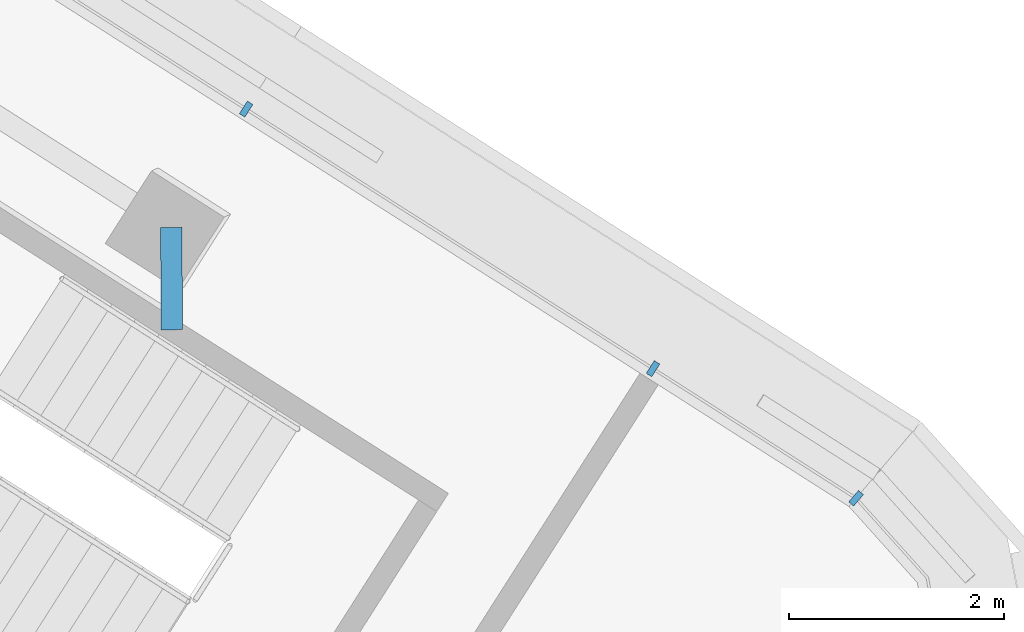
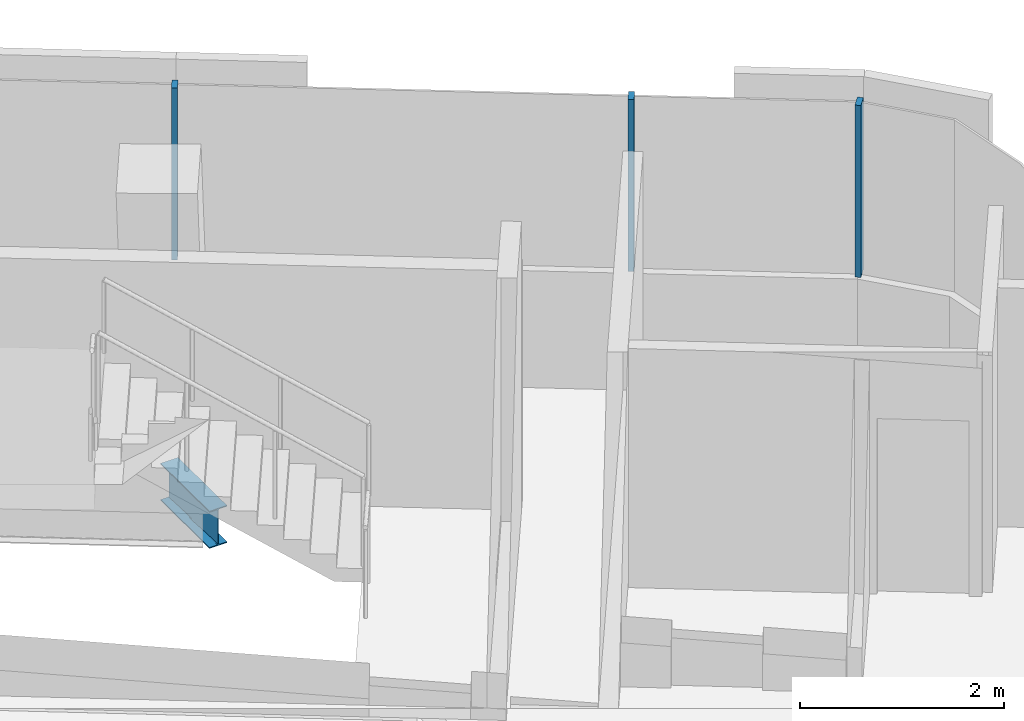
# One storey, part 14 of 27: 3 members, 1 beam, 1 element without a shape of its own.
"""IFC4 building model written with IfcOpenShell, lengths in metres."""

from ifc_helpers import new_model, si_unit, direction, frame, origin, origin_2d, place, context, subcontext, project, spatial, rectangle, i_section, extrude, material, layer, layer_set, material_profile, profile_set, type_object, element, aggregate, save


model = new_model("IFC4")

# Units and contexts
model_context = context("Model", 3, precision=1e-05, world=origin(), true_north=direction((0.0, 1.0)))
body_context = subcontext(model_context, "Body", "Model", "MODEL_VIEW")
ifc_project = project(units=[si_unit("LENGTHUNIT", "METRE"), si_unit("AREAUNIT", "SQUARE_METRE"), si_unit("VOLUMEUNIT", "CUBIC_METRE"), si_unit("PLANEANGLEUNIT", "RADIAN"), si_unit("MASSUNIT", "GRAM", prefix="KILO")], contexts=[model_context])

# Site, building, storey
site_placement = place(None, origin())
site = spatial("IfcSite", under=ifc_project, at=site_placement, CompositionType="ELEMENT")
building_placement = place(site_placement, origin())
building = spatial("IfcBuilding", under=site, at=building_placement, Name="Tamarind Cross Interchange Tower", CompositionType="ELEMENT")
storey_placement = place(building_placement, frame((0.0, 0.0, 241.5)))
storey = spatial("IfcBuildingStorey", under=building, at=storey_placement, Name="L61", CompositionType="ELEMENT", Elevation=241.5)

# Beam
ifc_material_1 = material(Name="Steel Q355B", Category="steel")
ifc_material_profile_1 = material_profile(ifc_material_1, i_section(OverallWidth=0.198974609375, OverallDepth=0.446044921875, WebThickness=0.008056640625, FlangeThickness=0.011962890625, FilletRadius=0.012939453125, at=origin_2d()), Name="HN 446x199x8x12")
ifc_profile_set_1 = profile_set([ifc_material_profile_1], Name="Steel Q355B")
beam_type = type_object("IfcBeamType", Name="Composite beam HN 446x199x8x12 Q355B", PredefinedType="BEAM", material=ifc_profile_set_1)
beam_placement = place(storey_placement, frame((-4.039306640625, 31.100830078125, -0.363037109375), z_axis=(0.005384537325, -0.999985503274, 0.0), x_axis=(0.999985503274, 0.005384537325, 0.0)))
element("IfcBeam", 1, at=beam_placement, inside=storey, type_object=beam_type, Name="Beam N-linkemt0", PredefinedType="BEAM", context=body_context, shape_type="SweptSolid", body=[
    extrude(i_section(OverallWidth=0.198974609375, OverallDepth=0.446044921875, WebThickness=0.008056640625, FlangeThickness=0.011962890625, FilletRadius=0.012939453125, at=origin_2d()), origin(), (0.0, 0.0, 1.0), 0.9521484375),
])

# Curtain wall, members
ifc_material_2 = material(Name="Aluminium 6063-T6", Category="aluminium")
ifc_layer = layer(ifc_material_2, 0.139892578125)
ifc_layer_set = layer_set([ifc_layer], Name="Aluminium 6063-T6")
curtain_wall_type = type_object("IfcCurtainWallType", Name="Hotel curtain wall, 4.5 m bays", PredefinedType="NOTDEFINED", material=ifc_layer_set)
curtain_wall_placement = place(storey_placement, origin())
curtain_wall = element("IfcCurtainWall", 2, at=curtain_wall_placement, inside=storey, type_object=curtain_wall_type, Name="CWS-L61-03", PredefinedType="NOTDEFINED")
ifc_material_profile_2 = material_profile(ifc_material_2, rectangle(XDim=0.06005859375, YDim=0.139892578125, at=origin_2d()), Name="Mullion CW2")
ifc_profile_set_2 = profile_set([ifc_material_profile_2], Name="Aluminium 6063-T6")
member_type = type_object("IfcMemberType", Name="Mullion CW2", PredefinedType="MULLION", material=ifc_profile_set_2)
member_1_placement = place(storey_placement, frame((2.323974609375, 28.583251953125, 1.39990234375), z_axis=(0.0, 0.0, 1.0), x_axis=(-0.76236553316, 0.647146655596, 0.0)))
member_1 = element("IfcMember", 3, at=member_1_placement, type_object=member_type, Name="CWM-L61-03-00", PredefinedType="MULLION", context=body_context, shape_type="SweptSolid", body=[
    extrude(rectangle(XDim=0.06005859375, YDim=0.139892578125, at=origin_2d()), origin(), (0.0, 0.0, 1.0), 2.06005859375),
])
member_2_placement = place(storey_placement, frame((0.43701171875, 29.787109375, 1.39990234375), z_axis=(0.0, 0.0, 1.0), x_axis=(-0.843053684056, 0.537829420727, 0.0)))
member_2 = element("IfcMember", 4, at=member_2_placement, type_object=member_type, Name="CWM-L61-03-01", PredefinedType="MULLION", context=body_context, shape_type="SweptSolid", body=[
    extrude(rectangle(XDim=0.06005859375, YDim=0.139892578125, at=origin_2d()), origin(), (0.0, 0.0, 1.0), 2.06005859375),
])
member_3_placement = place(storey_placement, frame((-3.343994140625, 32.19921875, 1.39990234375), z_axis=(0.0, 0.0, 1.0), x_axis=(-0.843053684056, 0.537829420727, 0.0)))
member_3 = element("IfcMember", 5, at=member_3_placement, type_object=member_type, Name="CWM-L61-03-02", PredefinedType="MULLION", context=body_context, shape_type="SweptSolid", body=[
    extrude(rectangle(XDim=0.06005859375, YDim=0.139892578125, at=origin_2d()), origin(), (0.0, 0.0, 1.0), 2.06005859375),
])
aggregate(curtain_wall, [member_1, member_2, member_3])

save(model, "model.ifc")
